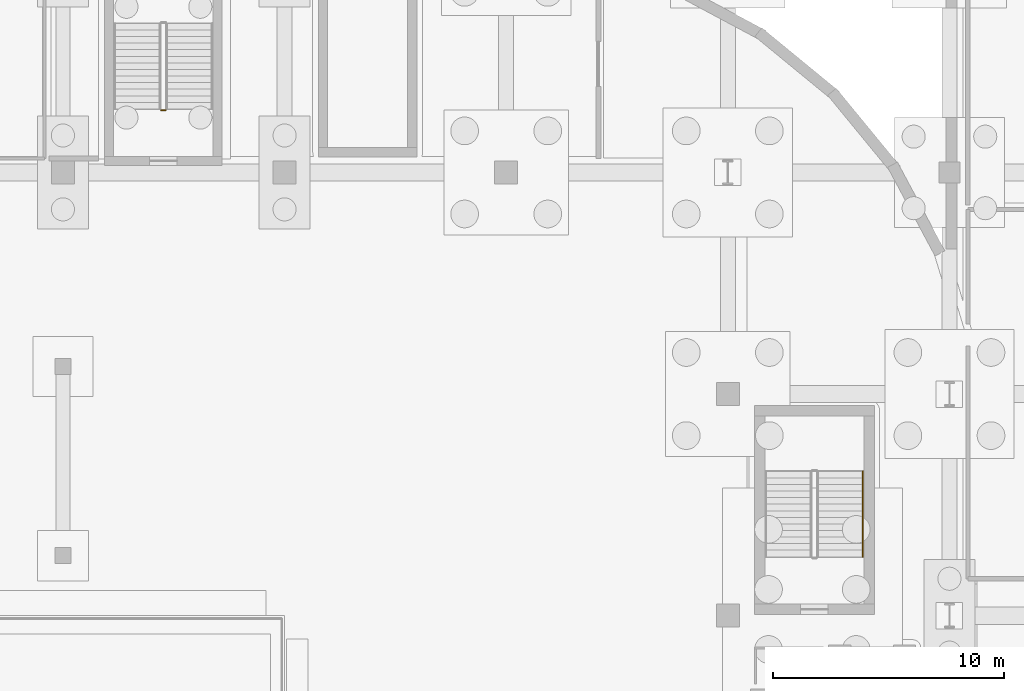
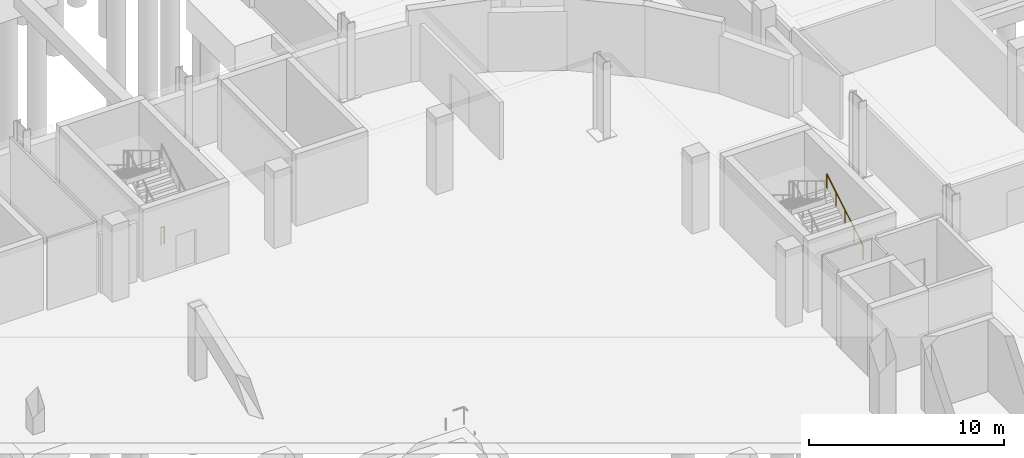
# One storey, part 59 of 67: 2 railings.
"""IFC4 building model written with IfcOpenShell, lengths in metres."""

from ifc_helpers import new_model, si_unit, direction, frame, origin, origin_2d, place, context, subcontext, project, spatial, circle, extrude, material, type_object, element, save


model = new_model("IFC4")

# Units and contexts
model_context = context("Model", 3, precision=1e-05, world=origin(), true_north=direction((0.0, 1.0)))
body_context = subcontext(model_context, "Body", "Model", "MODEL_VIEW")
ifc_project = project(units=[si_unit("LENGTHUNIT", "METRE"), si_unit("AREAUNIT", "SQUARE_METRE"), si_unit("VOLUMEUNIT", "CUBIC_METRE"), si_unit("PLANEANGLEUNIT", "RADIAN"), si_unit("MASSUNIT", "GRAM", prefix="KILO")], contexts=[model_context])

# Site, building, storey
site_placement = place(None, origin())
site = spatial("IfcSite", under=ifc_project, at=site_placement, CompositionType="ELEMENT")
building_placement = place(site_placement, origin())
building = spatial("IfcBuilding", under=site, at=building_placement, Name="Caelomonte Colonnade Arena", CompositionType="ELEMENT")
storey_placement = place(building_placement, frame((0.0, 0.0, -4.800048828125)))
storey = spatial("IfcBuildingStorey", under=building, at=storey_placement, Name="B1", CompositionType="ELEMENT", Elevation=-4.800048828125)

# Railings
ifc_material_1 = material(Name="Painted galvanized steel stair guard", Category="steel")
railing_type_1 = type_object("IfcRailingType", Name="INT-RL-GRD", PredefinedType="GUARDRAIL", material=ifc_material_1)
railing_1_placement = place(storey_placement, frame((129.25, 108.300048828125, 0.0)))
element("IfcRailing", 1, at=railing_1_placement, inside=storey, type_object=railing_type_1, Name="B1 ST-16 stair guard 4", PredefinedType="GUARDRAIL", context=body_context, shape_type="SweptSolid", body=[
    extrude(circle(Radius=0.02392578125, at=origin_2d()), frame((0.0, 0.0, 1.076171875), z_axis=(-1.0, 0.0, 0.0), x_axis=(0.0, -1.0, 0.0)), (0.0, 0.0, 1.0), 0.199951171875),
    extrude(circle(Radius=0.02099609375, at=origin_2d()), origin(), (0.0, 0.0, 1.0), 1.048095703125),
    extrude(circle(Radius=0.02099609375, at=origin_2d()), frame((-0.199951171875, 0.0, 0.0)), (0.0, 0.0, 1.0), 1.048095703125),
])
ifc_material_2 = material(Name="Brushed stainless steel stair handrail", Category="steel")
railing_type_2 = type_object("IfcRailingType", Name="INT-RL-HR", PredefinedType="HANDRAIL", material=ifc_material_2)
railing_2_placement = place(storey_placement, frame((159.449951171875, 88.949951171875, 0.17138671875)))
element("IfcRailing", 2, at=railing_2_placement, inside=storey, type_object=railing_type_2, Name="B1 ST-03 stair handrail 1", PredefinedType="HANDRAIL", context=body_context, shape_type="SweptSolid", body=[
    extrude(circle(Radius=0.02392578125, at=origin_2d()), frame((0.0, 0.0, 0.8759765625), z_axis=(0.0, 0.856909459561, 0.515466951525), x_axis=(-1.0, 0.0, 0.0)), (0.0, 0.0, 1.0), 4.32373046875),
    extrude(circle(Radius=0.02099609375, at=origin_2d()), origin(), (0.0, 0.0, 1.0), 0.847900390625),
    extrude(circle(Radius=0.02099609375, at=origin_2d()), frame((0.0, 0.92626953125, 0.55712890625)), (0.0, 0.0, 1.0), 0.847900390625),
    extrude(circle(Radius=0.02099609375, at=origin_2d()), frame((0.0, 1.8525390625, 1.1142578125)), (0.0, 0.0, 1.0), 0.847900390625),
    extrude(circle(Radius=0.02099609375, at=origin_2d()), frame((0.0, 2.77880859375, 1.671630859375)), (0.0, 0.0, 1.0), 0.847900390625),
    extrude(circle(Radius=0.02099609375, at=origin_2d()), frame((0.0, 3.705078125, 2.228759765625)), (0.0, 0.0, 1.0), 0.847900390625),
])

save(model, "model.ifc")
